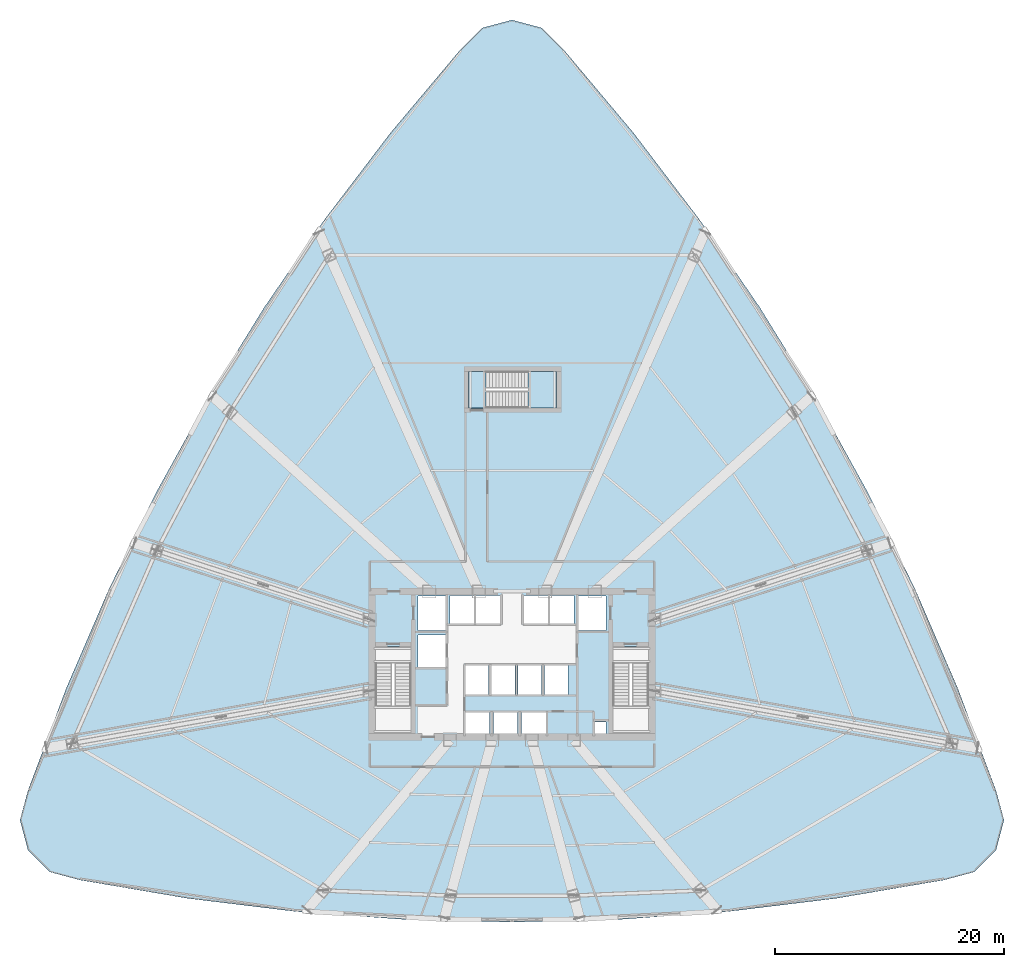
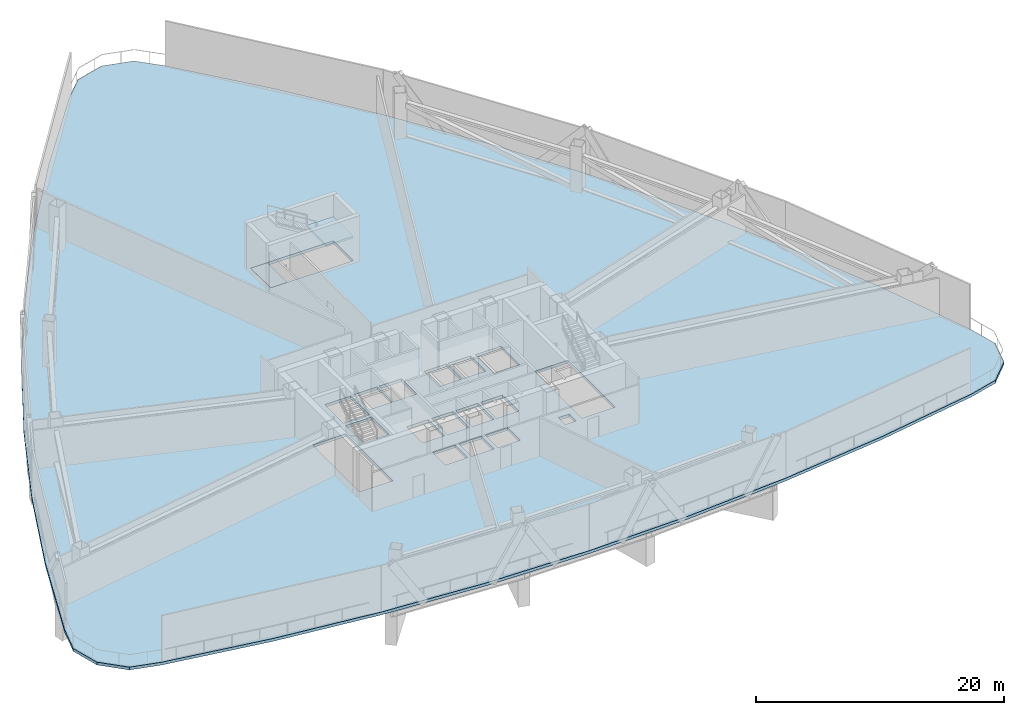
# One storey, part 7 of 17: 3 slabs, 1 element without a shape of its own.
"""IFC4 building model written with IfcOpenShell, lengths in metres."""

from ifc_helpers import new_model, si_unit, direction, frame, origin, place, context, subcontext, project, spatial, polyline, outline, extrude, material, layer, layer_set, type_object, element, aggregate, save


model = new_model("IFC4")

# Units and contexts
model_context = context("Model", 3, precision=1e-05, world=origin(), true_north=direction((0.0, 1.0)))
body_context = subcontext(model_context, "Body", "Model", "MODEL_VIEW")
ifc_project = project(units=[si_unit("LENGTHUNIT", "METRE"), si_unit("AREAUNIT", "SQUARE_METRE"), si_unit("VOLUMEUNIT", "CUBIC_METRE"), si_unit("PLANEANGLEUNIT", "RADIAN"), si_unit("MASSUNIT", "GRAM", prefix="KILO"), si_unit("THERMODYNAMICTEMPERATUREUNIT", "KELVIN"), si_unit("POWERUNIT", "WATT")], contexts=[model_context])

# Site, building, storey
site_placement = place(None, origin())
site = spatial("IfcSite", under=ifc_project, at=site_placement, CompositionType="ELEMENT")
building_placement = place(site_placement, origin())
building = spatial("IfcBuilding", under=site, at=building_placement, Name="Yunzhuo Pagoda Commons", CompositionType="ELEMENT")
storey_placement = place(building_placement, frame((0.0, 0.0, 76.3798828125)))
storey = spatial("IfcBuildingStorey", under=building, at=storey_placement, Name="L19", CompositionType="ELEMENT", Elevation=76.3798828125)

# Stair, slabs
ifc_material = material(Name="Concrete C40", Category="concrete")
stair_type = type_object("IfcStairType", Name="ST-C3 North Tower Smokeproof Stair ST3", PredefinedType="HALF_TURN_STAIR", material=ifc_material)
stair_placement = place(storey_placement, origin())
stair = element("IfcStair", 1, at=stair_placement, inside=storey, type_object=stair_type, Name="L19 North tower smokeproof stair ST3", PredefinedType="HALF_TURN_STAIR")
ifc_layer_1 = layer(ifc_material, 0.2041015625)
ifc_layer_set_1 = layer_set([ifc_layer_1], Name="Concrete C40")
slab_type_1 = type_object("IfcSlabType", Name="SL-LND5 North Landing Slab 204", PredefinedType="LANDING", material=ifc_layer_set_1)
slab_1_placement = place(storey_placement, frame((0.0, 0.0, 2.2001953125)))
slab_1 = element("IfcSlab", 2, at=slab_1_placement, type_object=slab_type_1, Name="ST3 landing 1", PredefinedType="LANDING", context=body_context, shape_type="SweptSolid", body=[
    extrude(outline(polyline([(49.389892578125, 56.199951171875), (51.89990234375, 56.199951171875), (51.89990234375, 59.39990234375), (49.389892578125, 59.39990234375), (49.389892578125, 56.199951171875)])), origin(), (0.0, 0.0, 1.0), 0.199951171875),
])
slab_2_placement = place(storey_placement, frame((0.0, 0.0, -0.199951171875)))
slab_2 = element("IfcSlab", 3, at=slab_2_placement, type_object=slab_type_1, Name="ST3 floor landing L19", PredefinedType="LANDING", context=body_context, shape_type="SweptSolid", body=[
    extrude(outline(polyline([(44.199951171875, 56.199951171875), (45.75, 56.199951171875), (45.75, 59.39990234375), (44.199951171875, 59.39990234375), (44.199951171875, 56.199951171875)])), origin(), (0.0, 0.0, 1.0), 0.199951171875),
])
aggregate(stair, [slab_1, slab_2])

# Slab
ifc_layer_2 = layer(ifc_material, 0.280029296875)
ifc_layer_set_2 = layer_set([ifc_layer_2], Name="Concrete C40")
slab_type_2 = type_object("IfcSlabType", Name="SL-POD Podium & Refuge Floor Slab 280", PredefinedType="FLOOR", material=ifc_layer_set_2)
slab_3_placement = place(storey_placement, frame((0.0, 0.0, -0.27978515625)))
element("IfcSlab", 4, at=slab_3_placement, inside=storey, type_object=slab_type_2, Name="L19 structural floor slab", PredefinedType="FLOOR", context=body_context, shape_type="SweptSolid", body=[
    extrude(outline(polyline([(9.1259765625, 31.752197265625), (12.84814453125, 40.402587890625), (16.966064453125, 48.82177734375), (21.480224609375, 57.009765625), (26.390380859375, 64.966796875), (31.69677734375, 72.6923828125), (37.39892578125, 80.186767578125), (43.497314453125, 87.449951171875), (45.404052734375, 89.343017578125), (48.0, 90.035400390625), (50.595947265625, 89.343017578125), (52.502685546875, 87.449951171875), (58.60107421875, 80.186767578125), (64.30322265625, 72.6923828125), (69.609619140625, 64.966796875), (74.519775390625, 57.009765625), (79.033935546875, 48.82177734375), (83.15185546875, 40.402587890625), (86.8740234375, 31.752197265625), (90.199951171875, 22.87060546875), (90.910888671875, 20.260986328125), (90.218505859375, 17.646240234375), (88.3095703125, 15.730224609375), (85.697265625, 15.028564453125), (76.27294921875, 13.423583984375), (66.8486328125, 12.277099609375), (57.42431640625, 11.589111328125), (48.0, 11.35986328125), (38.57568359375, 11.589111328125), (29.1513671875, 12.277099609375), (19.72705078125, 13.423583984375), (10.302734375, 15.028564453125), (7.6904296875, 15.730224609375), (5.781494140625, 17.646240234375), (5.089111328125, 20.260986328125), (5.800048828125, 22.87060546875), (9.1259765625, 31.752197265625)]), holes=[polyline([(46.050048828125, 27.60009765625), (46.050048828125, 29.64990234375), (43.949951171875, 29.64990234375), (43.949951171875, 27.60009765625), (46.050048828125, 27.60009765625)]), polyline([(48.5, 27.60009765625), (48.5, 29.64990234375), (46.39990234375, 29.64990234375), (46.39990234375, 27.60009765625), (48.5, 27.60009765625)]), polyline([(36.10009765625, 27.800048828125), (39.199951171875, 27.800048828125), (39.199951171875, 35.39990234375), (36.10009765625, 35.39990234375), (36.10009765625, 27.800048828125)]), polyline([(45.969970703125, 31.199951171875), (45.969970703125, 33.800048828125), (43.929931640625, 33.800048828125), (43.929931640625, 31.199951171875), (45.969970703125, 31.199951171875)]), polyline([(48.27001953125, 31.199951171875), (48.27001953125, 33.800048828125), (46.22998046875, 33.800048828125), (46.22998046875, 31.199951171875), (48.27001953125, 31.199951171875)]), polyline([(42.199951171875, 33.60009765625), (42.199951171875, 36.39990234375), (39.800048828125, 36.39990234375), (39.800048828125, 33.60009765625), (42.199951171875, 33.60009765625)]), polyline([(42.199951171875, 36.800048828125), (42.199951171875, 39.800048828125), (39.800048828125, 39.800048828125), (39.800048828125, 36.800048828125), (42.199951171875, 36.800048828125)]), polyline([(42.60009765625, 37.39990234375), (44.699951171875, 37.39990234375), (44.699951171875, 39.85009765625), (42.60009765625, 39.85009765625), (42.60009765625, 37.39990234375)]), polyline([(44.85009765625, 37.39990234375), (46.949951171875, 37.39990234375), (46.949951171875, 39.85009765625), (44.85009765625, 39.85009765625), (44.85009765625, 37.39990234375)]), polyline([(56.179931640625, 27.699951171875), (56.179931640625, 28.800048828125), (55.179931640625, 28.800048828125), (55.179931640625, 27.699951171875), (56.179931640625, 27.699951171875)]), polyline([(50.949951171875, 27.60009765625), (50.949951171875, 29.64990234375), (48.85009765625, 29.64990234375), (48.85009765625, 27.60009765625), (50.949951171875, 27.60009765625)]), polyline([(56.800048828125, 27.800048828125), (59.89990234375, 27.800048828125), (59.89990234375, 35.39990234375), (56.800048828125, 35.39990234375), (56.800048828125, 27.800048828125)]), polyline([(50.570068359375, 31.199951171875), (50.570068359375, 33.800048828125), (48.530029296875, 33.800048828125), (48.530029296875, 31.199951171875), (50.570068359375, 31.199951171875)]), polyline([(52.8701171875, 31.199951171875), (52.8701171875, 33.800048828125), (50.830078125, 33.800048828125), (50.830078125, 31.199951171875), (52.8701171875, 31.199951171875)]), polyline([(56.199951171875, 36.800048828125), (56.199951171875, 39.800048828125), (53.800048828125, 39.800048828125), (53.800048828125, 36.800048828125), (56.199951171875, 36.800048828125)]), polyline([(51.14990234375, 37.39990234375), (51.14990234375, 39.85009765625), (49.050048828125, 39.85009765625), (49.050048828125, 37.39990234375), (51.14990234375, 37.39990234375)]), polyline([(51.300048828125, 37.39990234375), (53.39990234375, 37.39990234375), (53.39990234375, 39.85009765625), (51.300048828125, 39.85009765625), (51.300048828125, 37.39990234375)]), polyline([(44.199951171875, 56.199951171875), (51.89990234375, 56.199951171875), (51.89990234375, 59.39990234375), (44.199951171875, 59.39990234375), (44.199951171875, 56.199951171875)])]), origin(), (0.0, 0.0, 1.0), 0.27978515625),
])

save(model, "model.ifc")
